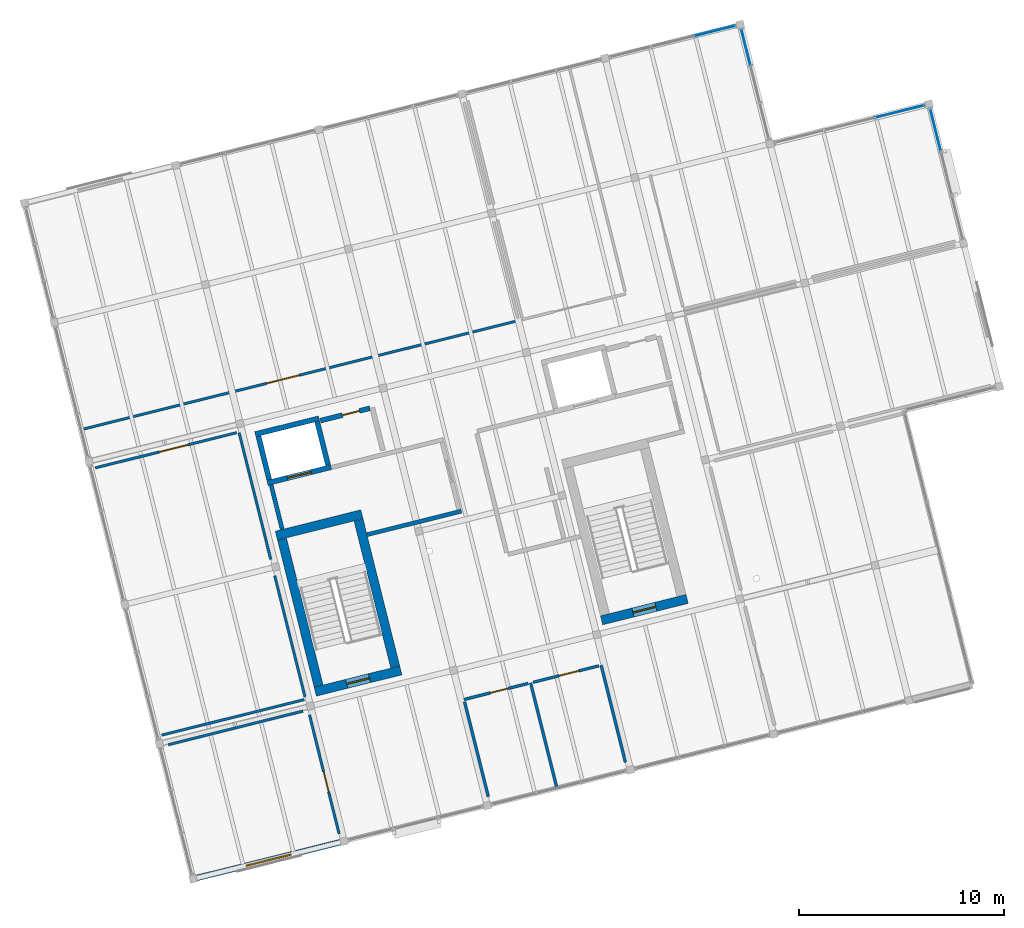
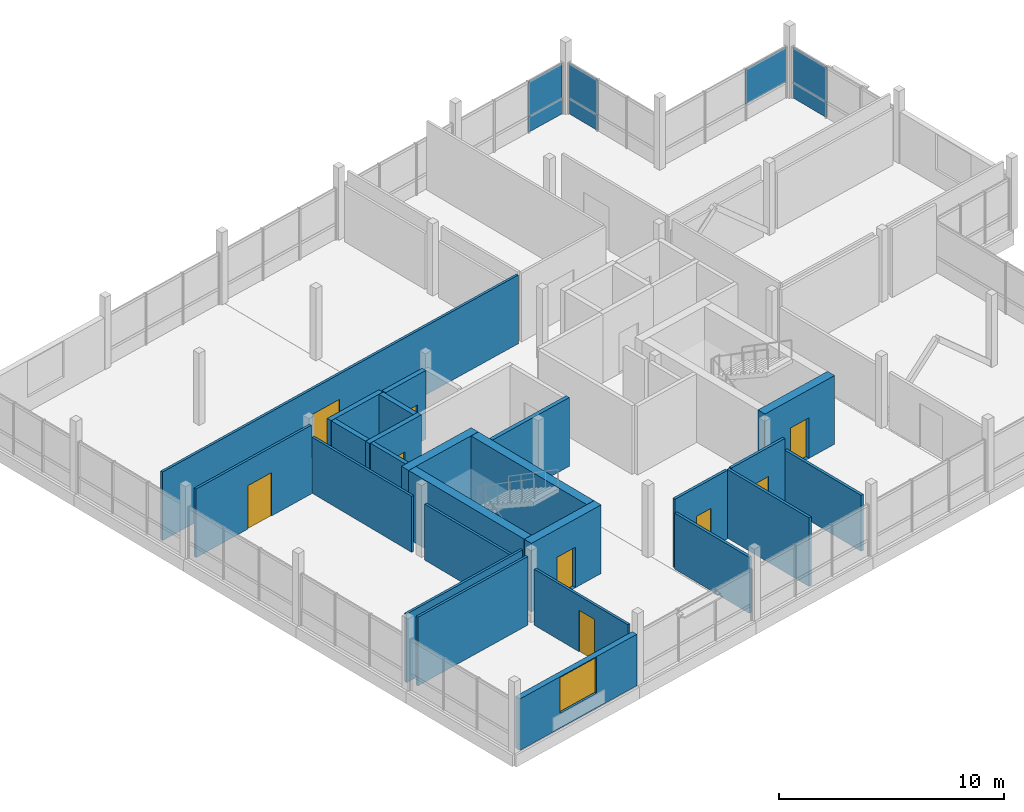
# One storey, part 25 of 28: 25 walls, 9 doors, 7 plates, 1 window, 10 openings, 4 elements without a shape of their own.
"""IFC4 building model written with IfcOpenShell, lengths in metres."""

from ifc_helpers import new_model, si_unit, direction, frame, frame_2d, origin, origin_2d, place, context, subcontext, project, spatial, rectangle, extrude, material, layer, layer_set, type_object, element, fill, aggregate, save


model = new_model("IFC4")

# Units and contexts
model_context = context("Model", 3, precision=1e-05, world=origin(), true_north=direction((0.0, 1.0)))
body_context = subcontext(model_context, "Body", "Model", "MODEL_VIEW")
ifc_project = project(units=[si_unit("LENGTHUNIT", "METRE"), si_unit("AREAUNIT", "SQUARE_METRE"), si_unit("VOLUMEUNIT", "CUBIC_METRE"), si_unit("PLANEANGLEUNIT", "RADIAN"), si_unit("MASSUNIT", "GRAM", prefix="KILO")], contexts=[model_context])

# Site, building, storey
site_placement = place(None, origin())
site = spatial("IfcSite", under=ifc_project, at=site_placement, CompositionType="ELEMENT")
building_placement = place(site_placement, origin())
building = spatial("IfcBuilding", under=site, at=building_placement, Name="Meriwether Solvik Hall", CompositionType="ELEMENT")
storey_placement = place(building_placement, frame((0.0, 0.0, 37.800048828125)))
storey = spatial("IfcBuildingStorey", under=building, at=storey_placement, Name="L09", CompositionType="ELEMENT", Elevation=37.800048828125)

# Curtain wall, plate
ifc_material_1 = material(Name="Thermally Broken Anodised Aluminium 6063-T6 and Low-E Glass", Category="aluminium")
ifc_layer_1 = layer(ifc_material_1, 0.179931640625)
ifc_layer_set_1 = layer_set([ifc_layer_1], Name="Thermally Broken Anodised Aluminium 6063-T6 and Low-E Glass")
curtain_wall_type_1 = type_object("IfcCurtainWallType", Name="CW-UNIT-D", PredefinedType="USERDEFINED", material=ifc_layer_set_1)
curtain_wall_1_placement = place(storey_placement, origin())
curtain_wall_1 = element("IfcCurtainWall", 1, at=curtain_wall_1_placement, inside=storey, type_object=curtain_wall_type_1, Name="Curtain Wall E3_B1 (L09)", ObjectType="UNITISED CURTAIN WALL", PredefinedType="USERDEFINED")
ifc_material_2 = material(Name="Low-Emissivity Double-Glazed Laminated Glass", Category="glass")
ifc_layer_2 = layer(ifc_material_2, 0.031982421875)
ifc_layer_set_2 = layer_set([ifc_layer_2], Name="Low-Emissivity Double-Glazed Laminated Glass")
plate_type_1 = type_object("IfcPlateType", Name="PLT-GLZ-180X185", PredefinedType="CURTAIN_PANEL", material=ifc_layer_set_2)
plate_1_placement = place(storey_placement, frame((104.83740234375, 77.736572265625, 0.8369140625), z_axis=(0.0, 0.0, 1.0), x_axis=(0.241921804422, -0.970295749009, 0.0)))
plate_1 = element("IfcPlate", 2, at=plate_1_placement, type_object=plate_type_1, Name="Low-E Vision Glazing Panel 1", PredefinedType="CURTAIN_PANEL", context=body_context, shape_type="SweptSolid", body=[
    extrude(rectangle(XDim=2.15771484375, YDim=0.033935546875, at=origin_2d()), origin(), (0.0, 0.0, 1.0), 1.89306640625),
])

curtain_wall_2_placement = place(storey_placement, origin())
curtain_wall_2 = element("IfcCurtainWall", 3, at=curtain_wall_2_placement, inside=storey, type_object=curtain_wall_type_1, Name="Curtain Wall E4_B0 (L09)", ObjectType="UNITISED CURTAIN WALL", PredefinedType="USERDEFINED")
ifc_material_3 = material(Name="Low-Emissivity Double-Glazed Laminated Glass", Category="glass")
ifc_layer_3 = layer(ifc_material_3, 0.031982421875)
ifc_layer_set_3 = layer_set([ifc_layer_3], Name="Low-Emissivity Double-Glazed Laminated Glass")
plate_type_2 = type_object("IfcPlateType", Name="PLT-GLZ-195X185", PredefinedType="CURTAIN_PANEL", material=ifc_layer_set_3)
plate_2_placement = place(storey_placement, frame((103.081298828125, 78.654296875, 0.8369140625), z_axis=(0.0, 0.0, 1.0), x_axis=(0.970295706376, 0.241921975414, 0.0)))
plate_2 = element("IfcPlate", 4, at=plate_2_placement, type_object=plate_type_2, Name="Low-E Vision Glazing Panel 3", PredefinedType="CURTAIN_PANEL", context=body_context, shape_type="SweptSolid", body=[
    extrude(rectangle(XDim=2.490966796875, YDim=0.033935546875, at=origin_2d()), origin(), (0.0, 0.0, 1.0), 1.89306640625),
])
aggregate(curtain_wall_2, [plate_2])

ifc_material_4 = material(Name="Thermally Broken Anodised Aluminium 6063-T6 and Low-E Glass", Category="aluminium")
ifc_layer_4 = layer(ifc_material_4, 0.179931640625)
ifc_layer_set_4 = layer_set([ifc_layer_4], Name="Thermally Broken Anodised Aluminium 6063-T6 and Low-E Glass")
curtain_wall_type_2 = type_object("IfcCurtainWallType", Name="CW-UNIT-E", PredefinedType="USERDEFINED", material=ifc_layer_set_4)
curtain_wall_3_placement = place(storey_placement, origin())
curtain_wall_3 = element("IfcCurtainWall", 5, at=curtain_wall_3_placement, inside=storey, type_object=curtain_wall_type_2, Name="Curtain Wall E5_B0 (L09)", ObjectType="UNITISED CURTAIN WALL", PredefinedType="USERDEFINED")
plate_3_placement = place(storey_placement, frame((95.583251953125, 81.78466796875, 0.8369140625), z_axis=(0.0, 0.0, 1.0), x_axis=(0.241921782102, -0.970295754574, 0.0)))
plate_3 = element("IfcPlate", 6, at=plate_3_placement, type_object=plate_type_2, Name="Low-E Vision Glazing Panel 1", PredefinedType="CURTAIN_PANEL", context=body_context, shape_type="SweptSolid", body=[
    extrude(rectangle(XDim=1.82421875, YDim=0.033935546875, at=origin_2d()), origin(), (0.0, 0.0, 1.0), 1.89306640625),
])

ifc_material_5 = material(Name="Thermally Broken Anodised Aluminium 6063-T6 and Low-E Glass", Category="aluminium")
ifc_layer_5 = layer(ifc_material_5, 0.179931640625)
ifc_layer_set_5 = layer_set([ifc_layer_5], Name="Thermally Broken Anodised Aluminium 6063-T6 and Low-E Glass")
curtain_wall_type_3 = type_object("IfcCurtainWallType", Name="CW-UNIT-C", PredefinedType="USERDEFINED", material=ifc_layer_set_5)
curtain_wall_4_placement = place(storey_placement, origin())
curtain_wall_4 = element("IfcCurtainWall", 7, at=curtain_wall_4_placement, inside=storey, type_object=curtain_wall_type_3, Name="Curtain Wall E6_B4 (L09)", ObjectType="UNITISED CURTAIN WALL", PredefinedType="USERDEFINED")
plate_4_placement = place(storey_placement, frame((94.061279296875, 82.589111328125, 0.8369140625), z_axis=(0.0, 0.0, 1.0), x_axis=(0.970295737161, 0.241921851942, 0.0)))
plate_4 = element("IfcPlate", 8, at=plate_4_placement, type_object=plate_type_2, Name="Low-E Vision Glazing Panel 3", PredefinedType="CURTAIN_PANEL", context=body_context, shape_type="SweptSolid", body=[
    extrude(rectangle(XDim=2.091064453125, YDim=0.033935546875, at=origin_2d()), origin(), (0.0, 0.0, 1.0), 1.89306640625),
])

# Plate
ifc_material_6 = material(Name="Mineral-Wool Insulated Anodised Aluminium 6063-T6", Category="aluminium")
ifc_layer_6 = layer(ifc_material_6, 0.044921875)
ifc_layer_set_6 = layer_set([ifc_layer_6], Name="Mineral-Wool Insulated Anodised Aluminium 6063-T6")
plate_type_3 = type_object("IfcPlateType", Name="PLT-SPN-225X085", PredefinedType="CURTAIN_PANEL", material=ifc_layer_set_6)
plate_5_placement = place(storey_placement, frame((104.83740234375, 77.736572265625, 0.0), z_axis=(0.0, 0.0, 1.0), x_axis=(0.241921804422, -0.970295749009, 0.0)))
plate_5 = element("IfcPlate", 9, at=plate_5_placement, type_object=plate_type_3, Name="Insulated Spandrel Panel 1", PredefinedType="CURTAIN_PANEL", context=body_context, shape_type="SweptSolid", body=[
    extrude(rectangle(XDim=2.15771484375, YDim=0.044921875, at=origin_2d()), origin(), (0.0, 0.0, 1.0), 0.8369140625),
])

aggregate(curtain_wall_1, [plate_5, plate_1])

plate_6_placement = place(storey_placement, frame((95.583251953125, 81.78466796875, 0.0), z_axis=(0.0, 0.0, 1.0), x_axis=(0.241921782102, -0.970295754574, 0.0)))
plate_6 = element("IfcPlate", 10, at=plate_6_placement, type_object=plate_type_3, Name="Insulated Spandrel Panel 1", PredefinedType="CURTAIN_PANEL", context=body_context, shape_type="SweptSolid", body=[
    extrude(rectangle(XDim=1.82421875, YDim=0.044921875, at=origin_2d()), origin(), (0.0, 0.0, 1.0), 0.8369140625),
])

aggregate(curtain_wall_3, [plate_6, plate_3])

plate_7_placement = place(storey_placement, frame((94.061279296875, 82.589111328125, 0.0), z_axis=(0.0, 0.0, 1.0), x_axis=(0.970295737161, 0.241921851942, 0.0)))
plate_7 = element("IfcPlate", 11, at=plate_7_placement, type_object=plate_type_3, Name="Insulated Spandrel Panel 3", PredefinedType="CURTAIN_PANEL", context=body_context, shape_type="SweptSolid", body=[
    extrude(rectangle(XDim=2.091064453125, YDim=0.044921875, at=origin_2d()), origin(), (0.0, 0.0, 1.0), 0.8369140625),
])

aggregate(curtain_wall_4, [plate_7, plate_4])

# Wall, opening, window
ifc_material_7 = material(Name="Cross-Laminated Timber and Mineral-Wool Insulation", Category="wood")
ifc_layer_7 = layer(ifc_material_7, 0.2900390625)
ifc_layer_set_7 = layer_set([ifc_layer_7], Name="Cross-Laminated Timber and Mineral-Wool Insulation")
wall_type_1 = type_object("IfcWallType", Name="WALL-EXT-290", PredefinedType="SOLIDWALL", material=ifc_layer_set_7)
wall_1_placement = place(storey_placement, frame((75.78564453125, 42.991455078125, 0.0), z_axis=(0.0, 0.0, 1.0), x_axis=(-0.97029963017, -0.241906237397, 0.0)))
wall_1 = element("IfcWall", 12, at=wall_1_placement, inside=storey, type_object=wall_type_1, Name="L09 Timber Rainscreen Wall 1.0", PredefinedType="SOLIDWALL", context=body_context, shape_type="SweptSolid", body=[
    extrude(rectangle(XDim=7.2109375, YDim=0.2900390625, at=frame_2d((3.60546875, 0.0))), origin(), (0.0, 0.0, 1.0), 2.7900390625),
])
opening_1_placement = place(wall_1_placement, frame((2.48046875, 0.0, 0.800048828125)))
opening_1 = element("IfcOpeningElement", 13, at=opening_1_placement, cuts=wall_1, Name="Opening WN-150", PredefinedType="OPENING", context=body_context, shape_type="SweptSolid", body=[
    extrude(rectangle(XDim=2.25, YDim=1.949951171875, at=frame_2d((1.125, 0.97509765625))), frame((0.0, 0.156982421875, 0.0), z_axis=(0.0, -1.0, 0.0), x_axis=(1.0, 0.0, 0.0)), (0.0, 0.0, 1.0), 0.31396484375),
])
ifc_material_8 = material(Name="Thermally Broken Anodised Aluminium and Triple Low-E Glass", Category="aluminium")
window_type = type_object("IfcWindowType", Name="WIN-TW-SHARD-225X195", PartitioningType="SINGLE_PANEL", PredefinedType="WINDOW", material=ifc_material_8)
window_placement = place(opening_1_placement, origin())
window = element("IfcWindow", 14, at=window_placement, inside=storey, type_object=window_type, Name="L09 Punched Window 1.0", OverallHeight=1.949951171875, OverallWidth=2.25, PartitioningType="SINGLE_PANEL", PredefinedType="WINDOW", context=body_context, shape_type="SweptSolid", body=[
    extrude(rectangle(XDim=2.25, YDim=1.949951171875, at=frame_2d((1.125, 0.97509765625))), frame((0.0, 0.030029296875, 0.0), z_axis=(0.0, -1.0, 0.0), x_axis=(1.0, 0.0, 0.0)), (0.0, 0.0, 1.0), 0.06005859375),
])
fill(opening_1, window)

# Walls
ifc_material_9 = material(Name="Fire-Rated Type X Gypsum Board", Category="gypsum")
ifc_layer_8 = layer(ifc_material_9, 0.199951171875)
ifc_layer_set_8 = layer_set([ifc_layer_8], Name="Fire-Rated Type X Gypsum Board")
wall_type_2 = type_object("IfcWallType", Name="WALL-FIRE-200", PredefinedType="STANDARD", material=ifc_layer_set_8)
wall_2_placement = place(storey_placement, frame((72.94970703125, 58.269287109375, 0.0), z_axis=(0.0, 0.0, 1.0), x_axis=(-0.24194311862, 0.970290434536, 0.0)))
element("IfcWall", 15, at=wall_2_placement, inside=storey, type_object=wall_type_2, Name="L09 Interior Partition lb1_w", PredefinedType="STANDARD", context=body_context, shape_type="SweptSolid", body=[
    extrude(rectangle(XDim=2.22998046875, YDim=0.199951171875, at=frame_2d((1.114990234375, 0.0))), origin(), (0.0, 0.0, 1.0), 3.719970703125),
])
wall_3_placement = place(storey_placement, frame((77.096923828125, 58.0048828125, 0.0), z_axis=(0.0, 0.0, 1.0), x_axis=(0.970305892741, 0.241881116483, 0.0)))
element("IfcWall", 16, at=wall_3_placement, inside=storey, type_object=wall_type_2, Name="L09 Interior Partition lb1_s", PredefinedType="STANDARD", context=body_context, shape_type="SweptSolid", body=[
    extrude(rectangle(XDim=4.73974609375, YDim=0.199951171875, at=frame_2d((2.369873046875, 0.0))), origin(), (0.0, 0.0, 1.0), 3.719970703125),
])
ifc_material_10 = material(Name="Concrete C40/50", Category="concrete")
ifc_layer_9 = layer(ifc_material_10, 0.25)
ifc_layer_set_9 = layer_set([ifc_layer_9], Name="Concrete C40/50")
wall_type_3 = type_object("IfcWallType", Name="WALL-HOIST-250", PredefinedType="SHEAR", material=ifc_layer_set_9)
wall_4_placement = place(storey_placement, frame((74.744384765625, 63.67919921875, 0.0), z_axis=(0.0, 0.0, 1.0), x_axis=(-0.970294894235, -0.241925232711, 0.0)))
element("IfcWall", 17, at=wall_4_placement, inside=storey, type_object=wall_type_3, Name="Hoistway BANK1 North Wall (L09)", PredefinedType="SHEAR", context=body_context, shape_type="SweptSolid", body=[
    extrude(rectangle(XDim=3.199951171875, YDim=0.25, at=frame_2d((1.60009765625, 0.0))), origin(), (0.0, 0.0, 1.0), 3.719970703125),
])
for number, where, z_axis, x_axis, name in (
    (18, (71.793212890625, 62.80419921875, 0.0), (0.0, 0.0, 1.0), (0.242008581424, -0.970274108959, 0.0), "Hoistway BANK1 West Wall (L09)"),
    (19, (75.18310546875, 61.402587890625, 0.0), (0.0, 0.0, 1.0), (-0.241903146974, 0.970300400641, 0.0), "Hoistway BANK1 East Wall (L09)"),
):
    element("IfcWall", number, at=place(storey_placement, frame(where, z_axis=z_axis, x_axis=x_axis)), inside=storey, type_object=wall_type_3, Name=name, PredefinedType="SHEAR", context=body_context, shape_type="SweptSolid", body=[
        extrude(rectangle(XDim=2.179931640625, YDim=0.25, at=frame_2d((1.08984375, 0.0))), origin(), (0.0, 0.0, 1.0), 3.719970703125),
    ])

# Wall, opening, door
wall_5_placement = place(storey_placement, frame((72.232177734375, 60.52783203125, 0.0), z_axis=(0.0, 0.0, 1.0), x_axis=(0.970290428474, 0.241943142934, 0.0)))
wall_5 = element("IfcWall", 20, at=wall_5_placement, inside=storey, type_object=wall_type_3, Name="Lift LF-01 Landing Wall (L09)", PredefinedType="SHEAR", context=body_context, shape_type="SweptSolid", body=[
    extrude(rectangle(XDim=3.19970703125, YDim=0.25, at=frame_2d((1.599853515625, 0.0))), origin(), (0.0, 0.0, 1.0), 3.719970703125),
])
opening_2_placement = place(wall_5_placement, frame((1.0, 0.0, 0.0)))
opening_2 = element("IfcOpeningElement", 21, at=opening_2_placement, cuts=wall_5, Name="Opening LD-01", PredefinedType="OPENING", context=body_context, shape_type="SweptSolid", body=[
    extrude(rectangle(XDim=1.199951171875, YDim=2.199951171875, at=frame_2d((0.60009765625, 1.10009765625))), frame((0.0, 0.136962890625, 0.0), z_axis=(0.0, -1.0, 0.0), x_axis=(1.0, 0.0, 0.0)), (0.0, 0.0, 1.0), 0.27392578125),
])
ifc_material_11 = material(Name="Stainless Steel AISI 316", Category="steel")
door_type_1 = type_object("IfcDoorType", Name="DR-LIFT-FSAE", OperationType="DOUBLE_DOOR_SLIDING", PredefinedType="DOOR", material=ifc_material_11)
door_1_placement = place(opening_2_placement, origin())
door_1 = element("IfcDoor", 22, at=door_1_placement, inside=storey, type_object=door_type_1, Name="Lift Landing Door LF-01 (L09)", OperationType="DOUBLE_DOOR_SLIDING", OverallHeight=2.199951171875, OverallWidth=1.199951171875, PredefinedType="DOOR", context=body_context, shape_type="SweptSolid", body=[
    extrude(rectangle(XDim=1.199951171875, YDim=2.199951171875, at=frame_2d((0.60009765625, 1.10009765625))), frame((0.0, 0.02490234375, 0.0), z_axis=(0.0, -1.0, 0.0), x_axis=(1.0, 0.0, 0.0)), (0.0, 0.0, 1.0), 0.050048828125),
])
fill(opening_2, door_1)

ifc_material_12 = material(Name="Gypsum Board Partition", Category="gypsum")
ifc_layer_10 = layer(ifc_material_12, 0.125)
ifc_layer_set_10 = layer_set([ifc_layer_10], Name="Gypsum Board Partition")
wall_type_4 = type_object("IfcWallType", Name="WALL-PART-125", PredefinedType="PARTITIONING", material=ifc_layer_set_10)
wall_6_placement = place(storey_placement, frame((75.728759765625, 43.403564453125, 0.0), z_axis=(0.0, 0.0, 1.0), x_axis=(-0.24192989378, 0.970293732071, 0.0)))
wall_6 = element("IfcWall", 23, at=wall_6_placement, inside=storey, type_object=wall_type_4, Name="L09 Interior Partition off_w1_e", PredefinedType="PARTITIONING", context=body_context, shape_type="SweptSolid", body=[
    extrude(rectangle(XDim=5.97509765625, YDim=0.125, at=frame_2d((2.987548828125, 0.0))), origin(), (0.0, 0.0, 1.0), 3.034912109375),
])
opening_3_placement = place(wall_6_placement, frame((2.120849609375, 0.0, 0.0)))
opening_3 = element("IfcOpeningElement", 24, at=opening_3_placement, cuts=wall_6, Name="Opening D-166", PredefinedType="OPENING", context=body_context, shape_type="SweptSolid", body=[
    extrude(rectangle(XDim=1.0, YDim=2.25, at=frame_2d((0.5, 1.125))), frame((0.0, 0.074462890625, 0.0), z_axis=(0.0, -1.0, 0.0), x_axis=(1.0, 0.0, 0.0)), (0.0, 0.0, 1.0), 0.14892578125),
])
ifc_material_13 = material(Name="Laminated Vision Glass and Solid White Oak Timber", Category="wood")
door_type_2 = type_object("IfcDoorType", Name="DR-OFF-1000L", OperationType="SINGLE_SWING_LEFT", PredefinedType="DOOR", material=ifc_material_13)
door_2_placement = place(opening_3_placement, origin())
door_2 = element("IfcDoor", 25, at=door_2_placement, inside=storey, type_object=door_type_2, Name="L09 Housing Advocacy Office Door", OperationType="SINGLE_SWING_LEFT", OverallHeight=2.25, OverallWidth=1.0, PredefinedType="DOOR", context=body_context, shape_type="SweptSolid", body=[
    extrude(rectangle(XDim=1.0, YDim=2.25, at=frame_2d((0.5, 1.125))), frame((0.0, 0.02490234375, 0.0), z_axis=(0.0, -1.0, 0.0), x_axis=(1.0, 0.0, 0.0)), (0.0, 0.0, 1.0), 0.050048828125),
])
fill(opening_3, door_2)

# Walls
wall_7_placement = place(storey_placement, frame((73.96435546875, 49.39111328125, 0.0), z_axis=(0.0, 0.0, 1.0), x_axis=(-0.970292809139, -0.241933595297, 0.0)))
element("IfcWall", 26, at=wall_7_placement, inside=storey, type_object=wall_type_4, Name="L09 Interior Partition off_w1_n", PredefinedType="PARTITIONING", context=body_context, shape_type="SweptSolid", body=[
    extrude(rectangle(XDim=6.775146484375, YDim=0.125, at=frame_2d((3.3876953125, 0.0))), origin(), (0.0, 0.0, 1.0), 3.719970703125),
])
wall_8_placement = place(storey_placement, frame((67.07421875, 48.219482421875, 0.0), z_axis=(0.0, 0.0, 1.0), x_axis=(0.970300710949, 0.24190190229, 0.0)))
element("IfcWall", 27, at=wall_8_placement, inside=storey, type_object=wall_type_4, Name="L09 Interior Partition off_w2_s", PredefinedType="PARTITIONING", context=body_context, shape_type="SweptSolid", body=[
    extrude(rectangle(XDim=7.16162109375, YDim=0.125, at=frame_2d((3.580810546875, 0.0))), origin(), (0.0, 0.0, 1.0), 3.719970703125),
])
wall_9_placement = place(storey_placement, frame((74.062744140625, 50.08544921875, 0.0), z_axis=(0.0, 0.0, 1.0), x_axis=(-0.241950623602, 0.970288563129, 0.0)))
element("IfcWall", 28, at=wall_9_placement, inside=storey, type_object=wall_type_4, Name="L09 Interior Partition off_w2_e", PredefinedType="PARTITIONING", context=body_context, shape_type="SweptSolid", body=[
    extrude(rectangle(XDim=6.088623046875, YDim=0.125, at=frame_2d((3.04443359375, 0.0))), origin(), (0.0, 0.0, 1.0), 3.034912109375),
])
wall_10_placement = place(storey_placement, frame((72.39013671875, 56.793701171875, 0.0), z_axis=(0.0, 0.0, 1.0), x_axis=(-0.241922822951, 0.970295495061, 0.0)))
element("IfcWall", 29, at=wall_10_placement, inside=storey, type_object=wall_type_4, Name="L09 Interior Partition off_w2_e_s2", PredefinedType="PARTITIONING", context=body_context, shape_type="SweptSolid", body=[
    extrude(rectangle(XDim=6.375, YDim=0.125, at=frame_2d((3.1875, 0.0))), origin(), (0.0, 0.0, 1.0), 3.034912109375),
])

# Wall, opening, door
wall_11_placement = place(storey_placement, frame((70.723876953125, 62.980712890625, 0.0), z_axis=(0.0, 0.0, 1.0), x_axis=(-0.970293813542, -0.241929567029, 0.0)))
wall_11 = element("IfcWall", 30, at=wall_11_placement, inside=storey, type_object=wall_type_4, Name="L09 Interior Partition off_w2_n", PredefinedType="PARTITIONING", context=body_context, shape_type="SweptSolid", body=[
    extrude(rectangle(XDim=7.109375, YDim=0.125, at=frame_2d((3.5546875, 0.0))), origin(), (0.0, 0.0, 1.0), 3.719970703125),
])
opening_4_placement = place(wall_11_placement, frame((2.449951171875, 0.0, 0.0)))
opening_4 = element("IfcOpeningElement", 31, at=opening_4_placement, cuts=wall_11, Name="Opening D-152", PredefinedType="OPENING", context=body_context, shape_type="SweptSolid", body=[
    extrude(rectangle(XDim=1.449951171875, YDim=2.35009765625, at=frame_2d((0.72509765625, 1.175048828125))), frame((0.0, 0.074462890625, 0.0), z_axis=(0.0, -1.0, 0.0), x_axis=(1.0, 0.0, 0.0)), (0.0, 0.0, 1.0), 0.14892578125),
])
ifc_material_14 = material(Name="Laminated Vision Glass and Solid White Oak Timber", Category="wood")
door_type_3 = type_object("IfcDoorType", Name="DR-CONF-1450", OperationType="DOUBLE_DOOR_SINGLE_SWING", PredefinedType="DOOR", material=ifc_material_14)
door_3_placement = place(opening_4_placement, origin())
door_3 = element("IfcDoor", 32, at=door_3_placement, inside=storey, type_object=door_type_3, Name="L09 Community Mediation Suite Door", OperationType="DOUBLE_DOOR_SINGLE_SWING", OverallHeight=2.35009765625, OverallWidth=1.449951171875, PredefinedType="DOOR", context=body_context, shape_type="SweptSolid", body=[
    extrude(rectangle(XDim=1.449951171875, YDim=2.35009765625, at=frame_2d((0.72509765625, 1.175048828125))), frame((0.0, 0.02490234375, 0.0), z_axis=(0.0, -1.0, 0.0), x_axis=(1.0, 0.0, 0.0)), (0.0, 0.0, 1.0), 0.050048828125),
])
fill(opening_4, door_3)

wall_12_placement = place(storey_placement, frame((63.190673828125, 63.143310546875, 0.0), z_axis=(0.0, 0.0, 1.0), x_axis=(0.970297434182, 0.241915045462, 0.0)))
wall_12 = element("IfcWall", 33, at=wall_12_placement, inside=storey, type_object=wall_type_4, Name="L09 Interior Partition wk_nw_s", PredefinedType="PARTITIONING", context=body_context, shape_type="SweptSolid", body=[
    extrude(rectangle(XDim=21.93994140625, YDim=0.125, at=frame_2d((10.969970703125, 0.0))), origin(), (0.0, 0.0, 1.0), 3.719970703125),
])
opening_5_placement = place(wall_12_placement, frame((9.272705078125, 0.0, 0.0)))
opening_5 = element("IfcOpeningElement", 34, at=opening_5_placement, cuts=wall_12, Name="Opening D-137", PredefinedType="OPENING", context=body_context, shape_type="SweptSolid", body=[
    extrude(rectangle(XDim=1.64990234375, YDim=2.35009765625, at=frame_2d((0.824951171875, 1.175048828125))), frame((0.0, 0.074462890625, 0.0), z_axis=(0.0, -1.0, 0.0), x_axis=(1.0, 0.0, 0.0)), (0.0, 0.0, 1.0), 0.14892578125),
])
ifc_material_15 = material(Name="Laminated Vision Glass and Solid White Oak Timber", Category="wood")
door_type_4 = type_object("IfcDoorType", Name="DR-INT-1650", OperationType="DOUBLE_DOOR_SINGLE_SWING", PredefinedType="DOOR", material=ifc_material_15)
door_4_placement = place(opening_5_placement, origin())
door_4 = element("IfcDoor", 35, at=door_4_placement, inside=storey, type_object=door_type_4, Name="L09 Sustainable Cities Lab Door", OperationType="DOUBLE_DOOR_SINGLE_SWING", OverallHeight=2.35009765625, OverallWidth=1.64990234375, PredefinedType="DOOR", context=body_context, shape_type="SweptSolid", body=[
    extrude(rectangle(XDim=1.64990234375, YDim=2.35009765625, at=frame_2d((0.824951171875, 1.175048828125))), frame((0.0, 0.02490234375, 0.0), z_axis=(0.0, -1.0, 0.0), x_axis=(1.0, 0.0, 0.0)), (0.0, 0.0, 1.0), 0.050048828125),
])
fill(opening_5, door_4)

ifc_material_16 = material(Name="Concrete C45/55", Category="concrete")
ifc_layer_11 = layer(ifc_material_16, 0.449951171875)
ifc_layer_set_11 = layer_set([ifc_layer_11], Name="Concrete C45/55")
wall_type_5 = type_object("IfcWallType", Name="WALL-RC-450", PredefinedType="SHEAR", material=ifc_layer_set_11)
wall_13_placement = place(storey_placement, frame((74.566162109375, 50.33984375, 0.0), z_axis=(0.0, 0.0, 1.0), x_axis=(0.970292610647, 0.241934391361, 0.0)))
wall_13 = element("IfcWall", 36, at=wall_13_placement, inside=storey, type_object=wall_type_5, Name="CORE-1 Shear Wall S (L09)", PredefinedType="SHEAR", context=body_context, shape_type="SweptSolid", body=[
    extrude(rectangle(XDim=4.2998046875, YDim=0.449951171875, at=frame_2d((2.14990234375, 0.0))), origin(), (0.0, 0.0, 1.0), 3.719970703125),
])
opening_6_placement = place(wall_13_placement, frame((1.574951171875, 0.0, 0.0)))
opening_6 = element("IfcOpeningElement", 37, at=opening_6_placement, cuts=wall_13, Name="Opening D-189", PredefinedType="OPENING", context=body_context, shape_type="SweptSolid", body=[
    extrude(rectangle(XDim=1.14990234375, YDim=2.199951171875, at=frame_2d((0.574951171875, 1.10009765625))), frame((0.0, 0.23681640625, 0.0), z_axis=(0.0, -1.0, 0.0), x_axis=(1.0, 0.0, 0.0)), (0.0, 0.0, 1.0), 0.473876953125),
])
ifc_material_17 = material(Name="Steel A36 Galvanised", Category="steel")
door_type_5 = type_object("IfcDoorType", Name="DR-FD90-1150L", OperationType="SINGLE_SWING_LEFT", PredefinedType="DOOR", material=ifc_material_17)
door_5_placement = place(opening_6_placement, origin())
door_5 = element("IfcDoor", 38, at=door_5_placement, inside=storey, type_object=door_type_5, Name="Stair ST-01 Smokeproof Exit Door (L09)", OperationType="SINGLE_SWING_LEFT", OverallHeight=2.199951171875, OverallWidth=1.14990234375, PredefinedType="DOOR", context=body_context, shape_type="SweptSolid", body=[
    extrude(rectangle(XDim=1.14990234375, YDim=2.199951171875, at=frame_2d((0.574951171875, 1.10009765625))), frame((0.0, 0.02490234375, 0.0), z_axis=(0.0, -1.0, 0.0), x_axis=(1.0, 0.0, 0.0)), (0.0, 0.0, 1.0), 0.050048828125),
])
fill(opening_6, door_5)

# Walls
wall_14_placement = place(storey_placement, frame((76.83935546875, 58.996826171875, 0.0), z_axis=(0.0, 0.0, 1.0), x_axis=(-0.970295933763, -0.241921063415, 0.0)))
element("IfcWall", 39, at=wall_14_placement, inside=storey, type_object=wall_type_5, Name="CORE-1 Shear Wall N (L09)", PredefinedType="SHEAR", context=body_context, shape_type="SweptSolid", body=[
    extrude(rectangle(XDim=4.300048828125, YDim=0.449951171875, at=frame_2d((2.14990234375, 0.0))), origin(), (0.0, 0.0, 1.0), 3.719970703125),
])
for number, where, z_axis, x_axis, name in (
    (40, (72.942138671875, 57.782958984375, 0.0), (0.0, 0.0, 1.0), (0.241928426141, -0.970294098006, 0.0), "CORE-1 Shear Wall W (L09)"),
    (41, (78.463134765625, 51.5537109375, 0.0), (0.0, 0.0, 1.0), (-0.241928426141, 0.970294098006, 0.0), "CORE-1 Shear Wall E (L09)"),
):
    element("IfcWall", number, at=place(storey_placement, frame(where, z_axis=z_axis, x_axis=x_axis)), inside=storey, type_object=wall_type_5, Name=name, PredefinedType="SHEAR", context=body_context, shape_type="SweptSolid", body=[
        extrude(rectangle(XDim=7.3798828125, YDim=0.449951171875, at=frame_2d((3.68994140625, 0.0))), origin(), (0.0, 0.0, 1.0), 3.719970703125),
    ])

# Wall, opening, door
wall_15_placement = place(storey_placement, frame((88.538330078125, 53.823486328125, 0.0), z_axis=(0.0, 0.0, 1.0), x_axis=(0.970295933763, 0.241921063415, 0.0)))
wall_15 = element("IfcWall", 42, at=wall_15_placement, inside=storey, type_object=wall_type_5, Name="CORE-2 Shear Wall S (L09)", PredefinedType="SHEAR", context=body_context, shape_type="SweptSolid", body=[
    extrude(rectangle(XDim=4.300048828125, YDim=0.449951171875, at=frame_2d((2.14990234375, 0.0))), origin(), (0.0, 0.0, 1.0), 3.719970703125),
])
opening_7_placement = place(wall_15_placement, frame((1.574951171875, 0.0, 0.0)))
opening_7 = element("IfcOpeningElement", 43, at=opening_7_placement, cuts=wall_15, Name="Opening D-148", PredefinedType="OPENING", context=body_context, shape_type="SweptSolid", body=[
    extrude(rectangle(XDim=1.14990234375, YDim=2.199951171875, at=frame_2d((0.574951171875, 1.10009765625))), frame((0.0, 0.23681640625, 0.0), z_axis=(0.0, -1.0, 0.0), x_axis=(1.0, 0.0, 0.0)), (0.0, 0.0, 1.0), 0.473876953125),
])
ifc_material_18 = material(Name="Steel A36 Galvanised", Category="steel")
door_type_6 = type_object("IfcDoorType", Name="DR-FD90-1150R", OperationType="SINGLE_SWING_RIGHT", PredefinedType="DOOR", material=ifc_material_18)
door_6_placement = place(opening_7_placement, origin())
door_6 = element("IfcDoor", 44, at=door_6_placement, inside=storey, type_object=door_type_6, Name="Stair ST-02 Smokeproof Exit Door (L09)", OperationType="SINGLE_SWING_RIGHT", OverallHeight=2.199951171875, OverallWidth=1.14990234375, PredefinedType="DOOR", context=body_context, shape_type="SweptSolid", body=[
    extrude(rectangle(XDim=1.14990234375, YDim=2.199951171875, at=frame_2d((0.574951171875, 1.10009765625))), frame((0.0, 0.02490234375, 0.0), z_axis=(0.0, -1.0, 0.0), x_axis=(1.0, 0.0, 0.0)), (0.0, 0.0, 1.0), 0.050048828125),
])
fill(opening_7, door_6)

ifc_material_19 = material(Name="Concrete C35/45", Category="concrete")
ifc_layer_12 = layer(ifc_material_19, 0.239990234375)
ifc_layer_set_12 = layer_set([ifc_layer_12], Name="Concrete C35/45")
wall_type_6 = type_object("IfcWallType", Name="WALL-SHAFT-240", PredefinedType="STANDARD", material=ifc_layer_set_12)
wall_16_placement = place(storey_placement, frame((77.2294921875, 64.169921875, 0.0), z_axis=(0.0, 0.0, 1.0), x_axis=(-0.970310192441, -0.241863867589, 0.0)))
wall_16 = element("IfcWall", 45, at=wall_16_placement, inside=storey, type_object=wall_type_6, Name="L09 Interior Partition riser1_n", PredefinedType="STANDARD", context=body_context, shape_type="SweptSolid", body=[
    extrude(rectangle(XDim=2.480224609375, YDim=0.239990234375, at=frame_2d((1.240234375, 0.0))), origin(), (0.0, 0.0, 1.0), 3.719970703125),
])
opening_8_placement = place(wall_16_placement, frame((0.530029296875, 0.0, 0.0)))
opening_8 = element("IfcOpeningElement", 46, at=opening_8_placement, cuts=wall_16, Name="Opening D-102", PredefinedType="OPENING", context=body_context, shape_type="SweptSolid", body=[
    extrude(rectangle(XDim=0.85009765625, YDim=2.10009765625, at=frame_2d((0.425048828125, 1.050048828125))), frame((0.0, 0.1318359375, 0.0), z_axis=(0.0, -1.0, 0.0), x_axis=(1.0, 0.0, 0.0)), (0.0, 0.0, 1.0), 0.263916015625),
])
ifc_material_20 = material(Name="Steel A36 Galvanised", Category="steel")
door_type_7 = type_object("IfcDoorType", Name="DR-FD60-850L", OperationType="SINGLE_SWING_LEFT", PredefinedType="DOOR", material=ifc_material_20)
door_7_placement = place(opening_8_placement, origin())
door_7 = element("IfcDoor", 47, at=door_7_placement, inside=storey, type_object=door_type_7, Name="Telecom Riser Closet Door (L09)", OperationType="SINGLE_SWING_LEFT", OverallHeight=2.10009765625, OverallWidth=0.85009765625, PredefinedType="DOOR", context=body_context, shape_type="SweptSolid", body=[
    extrude(rectangle(XDim=0.85009765625, YDim=2.10009765625, at=frame_2d((0.425048828125, 1.050048828125))), frame((0.0, 0.02490234375, 0.0), z_axis=(0.0, -1.0, 0.0), x_axis=(1.0, 0.0, 0.0)), (0.0, 0.0, 1.0), 0.050048828125),
])
fill(opening_8, door_7)

# Wall
ifc_material_21 = material(Name="Moisture-Resistant Gypsum Board", Category="gypsum")
ifc_layer_13 = layer(ifc_material_21, 0.139892578125)
ifc_layer_set_13 = layer_set([ifc_layer_13], Name="Moisture-Resistant Gypsum Board")
wall_type_7 = type_object("IfcWallType", Name="WALL-WET-140", PredefinedType="PLUMBINGWALL", material=ifc_layer_set_13)
wall_17_placement = place(storey_placement, frame((86.341796875, 45.685302734375, 0.0), z_axis=(0.0, 0.0, 1.0), x_axis=(-0.24189974474, 0.970301248837, 0.0)))
element("IfcWall", 48, at=wall_17_placement, inside=storey, type_object=wall_type_7, Name="L09 Interior Partition wc_m_e", PredefinedType="PLUMBINGWALL", context=body_context, shape_type="SweptSolid", body=[
    extrude(rectangle(XDim=5.239990234375, YDim=0.139892578125, at=frame_2d((2.6201171875, 0.0))), origin(), (0.0, 0.0, 1.0), 3.719970703125),
])

# Wall, opening, door
wall_18_placement = place(storey_placement, frame((84.957763671875, 50.74072265625, 0.0), z_axis=(0.0, 0.0, 1.0), x_axis=(-0.970289047109, -0.241948682698, 0.0)))
wall_18 = element("IfcWall", 49, at=wall_18_placement, inside=storey, type_object=wall_type_7, Name="L09 Interior Partition wc_m_n", PredefinedType="PLUMBINGWALL", context=body_context, shape_type="SweptSolid", body=[
    extrude(rectangle(XDim=3.22998046875, YDim=0.139892578125, at=frame_2d((1.614990234375, 0.0))), origin(), (0.0, 0.0, 1.0), 3.719970703125),
])
opening_9_placement = place(wall_18_placement, frame((1.008544921875, 0.0, 0.0)))
opening_9 = element("IfcOpeningElement", 50, at=opening_9_placement, cuts=wall_18, Name="Opening D-174", PredefinedType="OPENING", context=body_context, shape_type="SweptSolid", body=[
    extrude(rectangle(XDim=0.89990234375, YDim=2.14990234375, at=frame_2d((0.449951171875, 1.074951171875))), frame((0.0, 0.08203125, 0.0), z_axis=(0.0, -1.0, 0.0), x_axis=(1.0, 0.0, 0.0)), (0.0, 0.0, 1.0), 0.163818359375),
])
ifc_material_22 = material(Name="Solid-Core Rift White Oak Timber", Category="wood")
door_type_8 = type_object("IfcDoorType", Name="DR-WC-900L", OperationType="SINGLE_SWING_LEFT", PredefinedType="DOOR", material=ifc_material_22)
door_8_placement = place(opening_9_placement, origin())
door_8 = element("IfcDoor", 51, at=door_8_placement, inside=storey, type_object=door_type_8, Name="L09 Restrooms Door", OperationType="SINGLE_SWING_LEFT", OverallHeight=2.14990234375, OverallWidth=0.89990234375, PredefinedType="DOOR", context=body_context, shape_type="SweptSolid", body=[
    extrude(rectangle(XDim=0.89990234375, YDim=2.14990234375, at=frame_2d((0.449951171875, 1.074951171875))), frame((0.0, 0.02490234375, 0.0), z_axis=(0.0, -1.0, 0.0), x_axis=(1.0, 0.0, 0.0)), (0.0, 0.0, 1.0), 0.050048828125),
])
fill(opening_9, door_8)

# Walls
wall_19_placement = place(storey_placement, frame((81.852783203125, 49.8427734375, 0.0), z_axis=(0.0, 0.0, 1.0), x_axis=(0.241909155499, -0.970298902651, 0.0)))
element("IfcWall", 52, at=wall_19_placement, inside=storey, type_object=wall_type_7, Name="L09 Interior Partition wc_m_w", PredefinedType="PLUMBINGWALL", context=body_context, shape_type="SweptSolid", body=[
    extrude(rectangle(XDim=4.7685546875, YDim=0.139892578125, at=frame_2d((2.38427734375, 0.0))), origin(), (0.0, 0.0, 1.0), 3.034912109375),
])
wall_20_placement = place(storey_placement, frame((89.700927734375, 46.88720703125, 0.0), z_axis=(0.0, 0.0, 1.0), x_axis=(-0.241912528441, 0.970298061723, 0.0)))
element("IfcWall", 53, at=wall_20_placement, inside=storey, type_object=wall_type_7, Name="L09 Interior Partition wc_a_e", PredefinedType="PLUMBINGWALL", context=body_context, shape_type="SweptSolid", body=[
    extrude(rectangle(XDim=4.886474609375, YDim=0.139892578125, at=frame_2d((2.443359375, 0.0))), origin(), (0.0, 0.0, 1.0), 3.034912109375),
])

# Wall, opening, door
wall_21_placement = place(storey_placement, frame((88.40234375, 51.599609375, 0.0), z_axis=(0.0, 0.0, 1.0), x_axis=(-0.970294165893, -0.241928153868, 0.0)))
wall_21 = element("IfcWall", 54, at=wall_21_placement, inside=storey, type_object=wall_type_7, Name="L09 Interior Partition wc_a_n", PredefinedType="PLUMBINGWALL", context=body_context, shape_type="SweptSolid", body=[
    extrude(rectangle(XDim=3.31005859375, YDim=0.139892578125, at=frame_2d((1.655029296875, 0.0))), origin(), (0.0, 0.0, 1.0), 3.719970703125),
])
opening_10_placement = place(wall_21_placement, frame((1.0, 0.0, 0.0)))
opening_10 = element("IfcOpeningElement", 55, at=opening_10_placement, cuts=wall_21, Name="Opening D-140", PredefinedType="OPENING", context=body_context, shape_type="SweptSolid", body=[
    extrude(rectangle(XDim=1.0, YDim=2.14990234375, at=frame_2d((0.5, 1.074951171875))), frame((0.0, 0.08203125, 0.0), z_axis=(0.0, -1.0, 0.0), x_axis=(1.0, 0.0, 0.0)), (0.0, 0.0, 1.0), 0.163818359375),
])
ifc_material_23 = material(Name="Solid-Core Rift White Oak Timber", Category="wood")
door_type_9 = type_object("IfcDoorType", Name="DR-ACC-1000L", OperationType="SINGLE_SWING_LEFT", PredefinedType="DOOR", material=ifc_material_23)
door_9_placement = place(opening_10_placement, origin())
door_9 = element("IfcDoor", 56, at=door_9_placement, inside=storey, type_object=door_type_9, Name="L09 Accessible WC Door", OperationType="SINGLE_SWING_LEFT", OverallHeight=2.14990234375, OverallWidth=1.0, PredefinedType="DOOR", context=body_context, shape_type="SweptSolid", body=[
    extrude(rectangle(XDim=1.0, YDim=2.14990234375, at=frame_2d((0.5, 1.074951171875))), frame((0.0, 0.02490234375, 0.0), z_axis=(0.0, -1.0, 0.0), x_axis=(1.0, 0.0, 0.0)), (0.0, 0.0, 1.0), 0.050048828125),
])
fill(opening_10, door_9)

save(model, "model.ifc")
